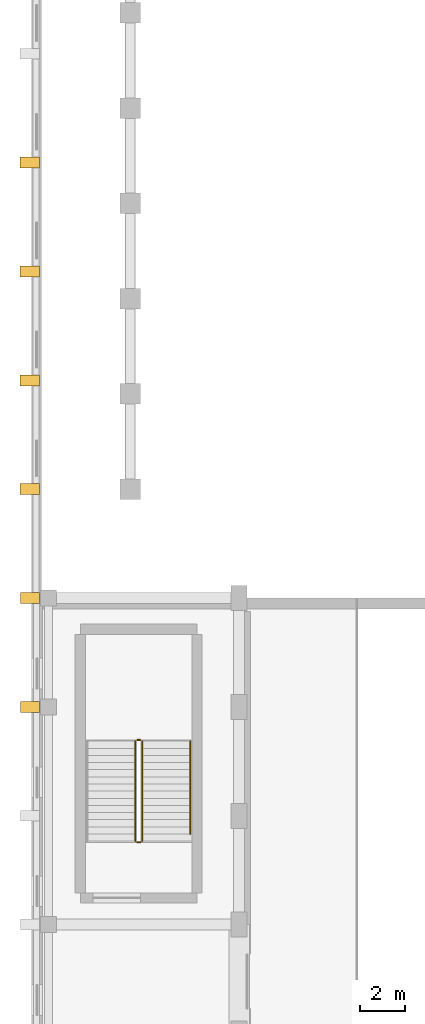
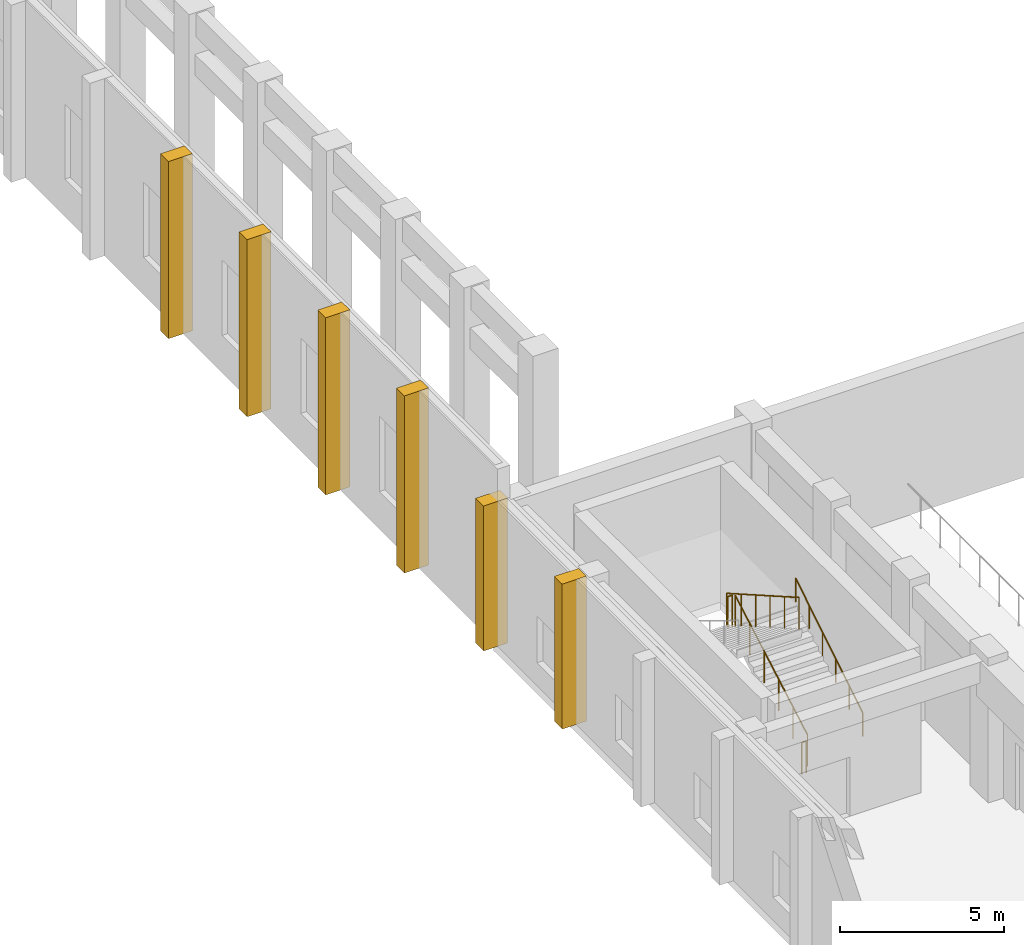
# One storey, part 123 of 134: 6 coverings, 5 railings.
"""IFC4 building model written with IfcOpenShell, lengths in metres."""

from ifc_helpers import new_model, si_unit, direction, frame, origin, origin_2d, place, context, subcontext, project, spatial, rectangle, circle, extrude, material, layer, layer_set, type_object, element, save


model = new_model("IFC4")

# Units and contexts
model_context = context("Model", 3, precision=1e-05, world=origin(), true_north=direction((0.0, 1.0)))
body_context = subcontext(model_context, "Body", "Model", "MODEL_VIEW")
ifc_project = project(units=[si_unit("LENGTHUNIT", "METRE"), si_unit("AREAUNIT", "SQUARE_METRE"), si_unit("VOLUMEUNIT", "CUBIC_METRE"), si_unit("PLANEANGLEUNIT", "RADIAN"), si_unit("MASSUNIT", "GRAM", prefix="KILO")], contexts=[model_context])

# Site, building, storey
site_placement = place(None, origin())
site = spatial("IfcSite", under=ifc_project, at=site_placement, CompositionType="ELEMENT")
building_placement = place(site_placement, origin())
building = spatial("IfcBuilding", under=site, at=building_placement, Name="Nakhvara Creek Congress Hotel", CompositionType="ELEMENT")
storey_placement = place(building_placement, frame((0.0, 0.0, 6.0)))
storey = spatial("IfcBuildingStorey", under=building, at=storey_placement, Name="L01", CompositionType="ELEMENT", Elevation=6.0)

# Coverings
ifc_material_1 = material(Name="Honed pale Omani limestone architectural cladding", Category="masonry")
ifc_layer = layer(ifc_material_1, 0.449951171875)
ifc_layer_set = layer_set([ifc_layer], Name="Honed pale Omani limestone architectural cladding")
covering_type = type_object("IfcCoveringType", Name="COV-BUTT-850", PredefinedType="CLADDING", material=ifc_layer_set)
for number, where, z_axis, x_axis, name in (
    (1, (-0.06494140625, 81.60009765625, 0.0), (0.0, 0.0, 1.0), (0.0, 1.0, 0.0), "Gothic Limestone Buttress Pier CF03-0444"),
    (2, (-0.06494140625, 86.39990234375, 0.0), (0.0, 0.0, 1.0), (0.0, 1.0, 0.0), "Gothic Limestone Buttress Pier CF03-0445"),
):
    element("IfcCovering", number, at=place(storey_placement, frame(where, z_axis=z_axis, x_axis=x_axis)), inside=storey, type_object=covering_type, Name=name, PredefinedType="CLADDING", context=body_context, shape_type="SweptSolid", body=[
        extrude(rectangle(XDim=0.47998046875, YDim=0.85009765625, at=origin_2d()), origin(), (0.0, 0.0, 1.0), 5.39990234375),
    ])
for number, where, z_axis, x_axis, name in (
    (3, (-0.0849609375, 91.199951171875, 0.0), (0.0, 0.0, 1.0), (0.0, 1.0, 0.0), "Gothic Limestone Buttress Pier CF03-0459"),
    (4, (-0.0849609375, 96.0, 0.0), (0.0, 0.0, 1.0), (0.0, 1.0, 0.0), "Gothic Limestone Buttress Pier CF03-0460"),
    (5, (-0.0849609375, 100.800048828125, 0.0), (0.0, 0.0, 1.0), (0.0, 1.0, 0.0), "Gothic Limestone Buttress Pier CF03-0462"),
    (6, (-0.0849609375, 105.60009765625, 0.0), (0.0, 0.0, 1.0), (0.0, 1.0, 0.0), "Gothic Limestone Buttress Pier CF03-0464"),
):
    element("IfcCovering", number, at=place(storey_placement, frame(where, z_axis=z_axis, x_axis=x_axis)), inside=storey, type_object=covering_type, Name=name, PredefinedType="CLADDING", context=body_context, shape_type="SweptSolid", body=[
        extrude(rectangle(XDim=0.47998046875, YDim=0.85009765625, at=origin_2d()), origin(), (0.0, 0.0, 1.0), 6.60009765625),
    ])

# Railings
ifc_material_2 = material(Name="Brushed stainless steel 316L", Category="steel")
railing_type_1 = type_object("IfcRailingType", Name="RL-GUARD-1200", PredefinedType="GUARDRAIL", material=ifc_material_2)
railing_1_placement = place(storey_placement, frame((4.875, 75.679931640625, 0.179931640625)))
element("IfcRailing", 7, at=railing_1_placement, inside=storey, type_object=railing_type_1, Name="L01 ST07 stair guard 1", PredefinedType="GUARDRAIL", context=body_context, shape_type="SweptSolid", body=[
    extrude(circle(Radius=0.02392578125, at=origin_2d()), frame((0.0, 0.0126953125, 1.18310546875), z_axis=(0.0, 0.868249057775, 0.496128585825), x_axis=(-1.0, 0.0, 0.0)), (0.0, 0.0, 1.0), 5.050048828125),
    extrude(circle(Radius=0.02099609375, at=origin_2d()), origin(), (0.0, 0.0, 1.0), 1.1806640625),
    extrude(circle(Radius=0.02099609375, at=origin_2d()), frame((0.0, 0.882080078125, 0.50390625)), (0.0, 0.0, 1.0), 1.1806640625),
    extrude(circle(Radius=0.02099609375, at=origin_2d()), frame((0.0, 1.76416015625, 1.008056640625)), (0.0, 0.0, 1.0), 1.1806640625),
    extrude(circle(Radius=0.02099609375, at=origin_2d()), frame((0.0, 2.64599609375, 1.511962890625)), (0.0, 0.0, 1.0), 1.1806640625),
    extrude(circle(Radius=0.02099609375, at=origin_2d()), frame((0.0, 3.528076171875, 2.01611328125)), (0.0, 0.0, 1.0), 1.1806640625),
    extrude(circle(Radius=0.02099609375, at=origin_2d()), frame((0.0, 4.41015625, 2.52001953125)), (0.0, 0.0, 1.0), 1.1806640625),
])
railing_2_placement = place(storey_placement, frame((4.800048828125, 80.139892578125, 2.699951171875)))
element("IfcRailing", 8, at=railing_2_placement, inside=storey, type_object=railing_type_1, Name="L01 ST07 stair guard 2", PredefinedType="GUARDRAIL", context=body_context, shape_type="SweptSolid", body=[
    extrude(circle(Radius=0.02392578125, at=origin_2d()), frame((-0.0146484375, 0.0, 1.17578125), z_axis=(-1.0, 0.0, 0.0), x_axis=(0.0, -1.0, 0.0)), (0.0, 0.0, 1.0), 0.120849609375),
    extrude(circle(Radius=0.02099609375, at=origin_2d()), origin(), (0.0, 0.0, 1.0), 1.1806640625),
    extrude(circle(Radius=0.02099609375, at=origin_2d()), frame((-0.150146484375, 0.0, 0.0)), (0.0, 0.0, 1.0), 1.1806640625),
])
railing_3_placement = place(storey_placement, frame((4.574951171875, 80.090087890625, 2.8798828125)))
element("IfcRailing", 9, at=railing_3_placement, inside=storey, type_object=railing_type_1, Name="L01 ST07 stair guard 3", PredefinedType="GUARDRAIL", context=body_context, shape_type="SweptSolid", body=[
    extrude(circle(Radius=0.02392578125, at=origin_2d()), frame((0.0, -0.0126953125, 1.18310546875), z_axis=(0.0, -0.868249057775, 0.496128585825), x_axis=(1.0, 0.0, 0.0)), (0.0, 0.0, 1.0), 5.050048828125),
    extrude(circle(Radius=0.02099609375, at=origin_2d()), origin(), (0.0, 0.0, 1.0), 1.1806640625),
    extrude(circle(Radius=0.02099609375, at=origin_2d()), frame((0.0, -0.882080078125, 0.50390625)), (0.0, 0.0, 1.0), 1.1806640625),
    extrude(circle(Radius=0.02099609375, at=origin_2d()), frame((0.0, -1.76416015625, 1.008056640625)), (0.0, 0.0, 1.0), 1.1806640625),
    extrude(circle(Radius=0.02099609375, at=origin_2d()), frame((0.0, -2.64599609375, 1.511962890625)), (0.0, 0.0, 1.0), 1.1806640625),
    extrude(circle(Radius=0.02099609375, at=origin_2d()), frame((0.0, -3.528076171875, 2.01611328125)), (0.0, 0.0, 1.0), 1.1806640625),
    extrude(circle(Radius=0.02099609375, at=origin_2d()), frame((0.0, -4.41015625, 2.52001953125)), (0.0, 0.0, 1.0), 1.1806640625),
])
railing_4_placement = place(storey_placement, frame((4.800048828125, 75.6298828125, 0.0)))
element("IfcRailing", 10, at=railing_4_placement, inside=storey, type_object=railing_type_1, Name="L01 ST07 stair guard 4", PredefinedType="GUARDRAIL", context=body_context, shape_type="SweptSolid", body=[
    extrude(circle(Radius=0.02392578125, at=origin_2d()), frame((-0.0146484375, 0.0, 1.17578125), z_axis=(-1.0, 0.0, 0.0), x_axis=(0.0, -1.0, 0.0)), (0.0, 0.0, 1.0), 0.120849609375),
    extrude(circle(Radius=0.02099609375, at=origin_2d()), origin(), (0.0, 0.0, 1.0), 1.1806640625),
    extrude(circle(Radius=0.02099609375, at=origin_2d()), frame((-0.150146484375, 0.0, 0.0)), (0.0, 0.0, 1.0), 1.1806640625),
])
railing_type_2 = type_object("IfcRailingType", Name="RL-HAND-900", PredefinedType="HANDRAIL", material=ifc_material_2)
railing_5_placement = place(storey_placement, frame((7.0048828125, 75.9951171875, 0.360107421875)))
element("IfcRailing", 11, at=railing_5_placement, inside=storey, type_object=railing_type_2, Name="L01 ST07 stair handrail 1", PredefinedType="HANDRAIL", context=body_context, shape_type="SweptSolid", body=[
    extrude(circle(Radius=0.02392578125, at=origin_2d()), frame((0.0, 0.012451171875, 0.883544921875), z_axis=(0.0, 0.850634571024, 0.52575738376), x_axis=(-1.0, 0.0, 0.0)), (0.0, 0.0, 1.0), 4.78466796875),
    extrude(circle(Radius=0.02099609375, at=origin_2d()), origin(), (0.0, 0.0, 1.0), 0.880615234375),
    extrude(circle(Radius=0.02099609375, at=origin_2d()), frame((0.0, 0.819091796875, 0.506103515625)), (0.0, 0.0, 1.0), 0.880615234375),
    extrude(circle(Radius=0.02099609375, at=origin_2d()), frame((0.0, 1.637939453125, 1.012451171875)), (0.0, 0.0, 1.0), 0.880615234375),
    extrude(circle(Radius=0.02099609375, at=origin_2d()), frame((0.0, 2.45703125, 1.5185546875)), (0.0, 0.0, 1.0), 0.880615234375),
    extrude(circle(Radius=0.02099609375, at=origin_2d()), frame((0.0, 3.27587890625, 2.02490234375)), (0.0, 0.0, 1.0), 0.880615234375),
    extrude(circle(Radius=0.02099609375, at=origin_2d()), frame((0.0, 4.094970703125, 2.531005859375)), (0.0, 0.0, 1.0), 0.880615234375),
])

save(model, "model.ifc")
